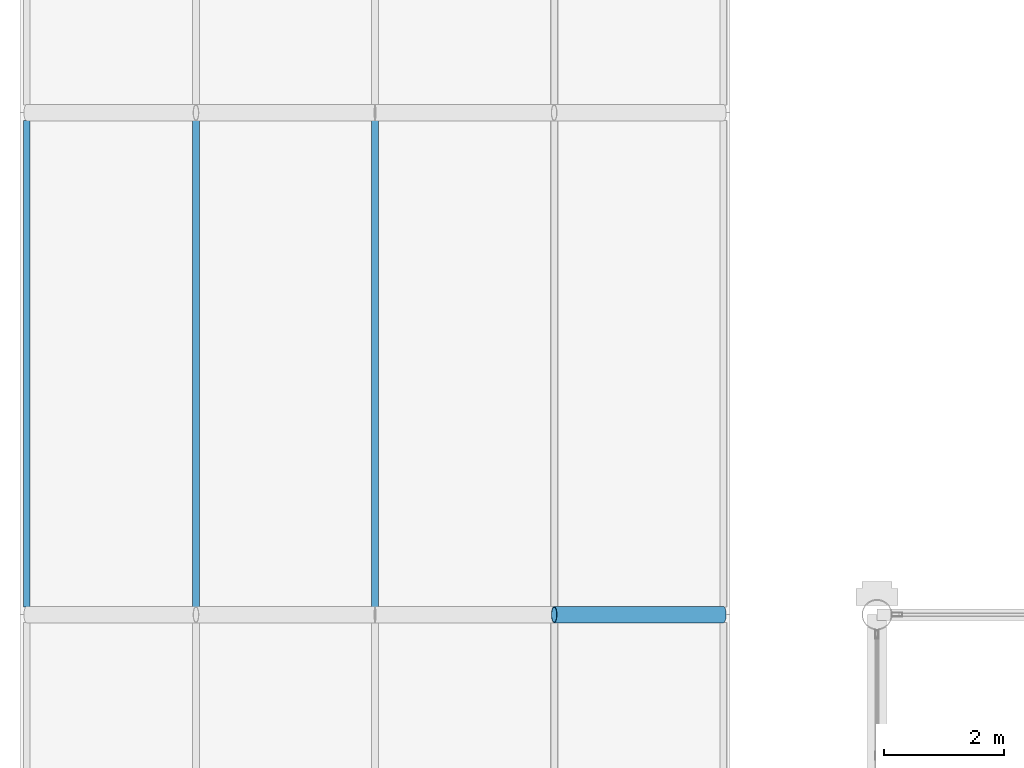
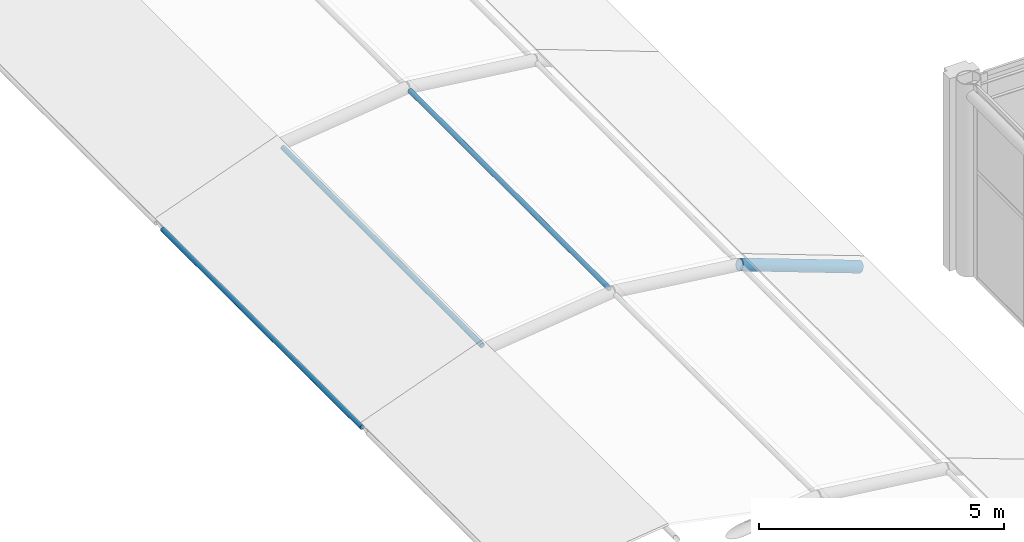
# One storey, part 74 of 167: 4 members.
"""IFC4 building model written with IfcOpenShell, lengths in metres."""

from ifc_helpers import new_model, si_unit, direction, frame, origin, origin_2d, place, context, subcontext, project, spatial, hollow_circle, extrude, material, material_profile, profile_set, type_object, element, save


model = new_model("IFC4")

# Units and contexts
model_context = context("Model", 3, precision=1e-05, world=origin(), true_north=direction((0.0, 1.0)))
body_context = subcontext(model_context, "Body", "Model", "MODEL_VIEW")
ifc_project = project(units=[si_unit("LENGTHUNIT", "METRE"), si_unit("AREAUNIT", "SQUARE_METRE"), si_unit("VOLUMEUNIT", "CUBIC_METRE"), si_unit("PLANEANGLEUNIT", "RADIAN"), si_unit("MASSUNIT", "GRAM", prefix="KILO")], contexts=[model_context])

# Site, building, storey
site_placement = place(None, origin())
site = spatial("IfcSite", under=ifc_project, at=site_placement, CompositionType="ELEMENT")
building_placement = place(site_placement, origin())
building = spatial("IfcBuilding", under=site, at=building_placement, Name="Catenary Quay Ferry Terminal", CompositionType="ELEMENT")
storey_placement = place(building_placement, frame((0.0, 0.0, 6.0)))
storey = spatial("IfcBuildingStorey", under=building, at=storey_placement, Name="L01", CompositionType="ELEMENT", Elevation=6.0)

# Members
ifc_material_1 = material(Name="Steel S355", Category="steel")
ifc_material_profile_1 = material_profile(ifc_material_1, hollow_circle(Radius=0.05712890625, WallThickness=0.00634765625, at=origin_2d()), Name="CHS 114.3x6.3")
ifc_profile_set_1 = profile_set([ifc_material_profile_1], Name="Steel S355")
member_type_1 = type_object("IfcMemberType", Name="PU2 CHS 114.3x6.3", PredefinedType="PURLIN", material=ifc_profile_set_1)
for number, where, z_axis, x_axis, name in (
    (1, (10.970947265625, 142.929931640625, 0.98388671875), (0.0, 1.0, 0.0), (-1.0, 0.0, 0.0), "Purlin PU-FC-10-01"),
    (2, (13.802978515625, 142.929931640625, 2.031005859375), (0.0, 1.0, 0.0), (-1.0, 0.0, 0.0), "Purlin PU-FC-10-02"),
    (3, (16.800048828125, 142.929931640625, 2.39990234375), (0.0, 1.0, 0.0), (-1.0, 0.0, 0.0), "Purlin PU-FC-10-03"),
):
    element("IfcMember", number, at=place(storey_placement, frame(where, z_axis=z_axis, x_axis=x_axis)), inside=storey, type_object=member_type_1, Name=name, PredefinedType="PURLIN", context=body_context, shape_type="SweptSolid", body=[
        extrude(hollow_circle(Radius=0.05712890625, WallThickness=0.00634765625, at=origin_2d()), origin(), (0.0, 0.0, 1.0), 8.14013671875),
    ])
ifc_material_2 = material(Name="Steel S355", Category="steel")
ifc_material_profile_2 = material_profile(ifc_material_2, hollow_circle(Radius=0.136474609375, WallThickness=0.012451171875, at=origin_2d()), Name="CHS 273x12.5")
ifc_profile_set_2 = profile_set([ifc_material_profile_2], Name="Steel S355")
member_type_2 = type_object("IfcMemberType", Name="VR2 CHS 273x12.5", PredefinedType="RAFTER", material=ifc_profile_set_2)
member_placement = place(storey_placement, frame((19.797119140625, 142.800048828125, 2.031005859375), z_axis=(0.93793103669, 0.0, -0.346821813636), x_axis=(0.0, 1.0, 0.0)))
element("IfcMember", 4, at=member_placement, inside=storey, type_object=member_type_2, Name="rib FC-10-05", PredefinedType="RAFTER", context=body_context, shape_type="SweptSolid", body=[
    extrude(hollow_circle(Radius=0.136474609375, WallThickness=0.012451171875, at=origin_2d()), origin(), (0.0, 0.0, 1.0), 3.019287109375),
])

save(model, "model.ifc")
